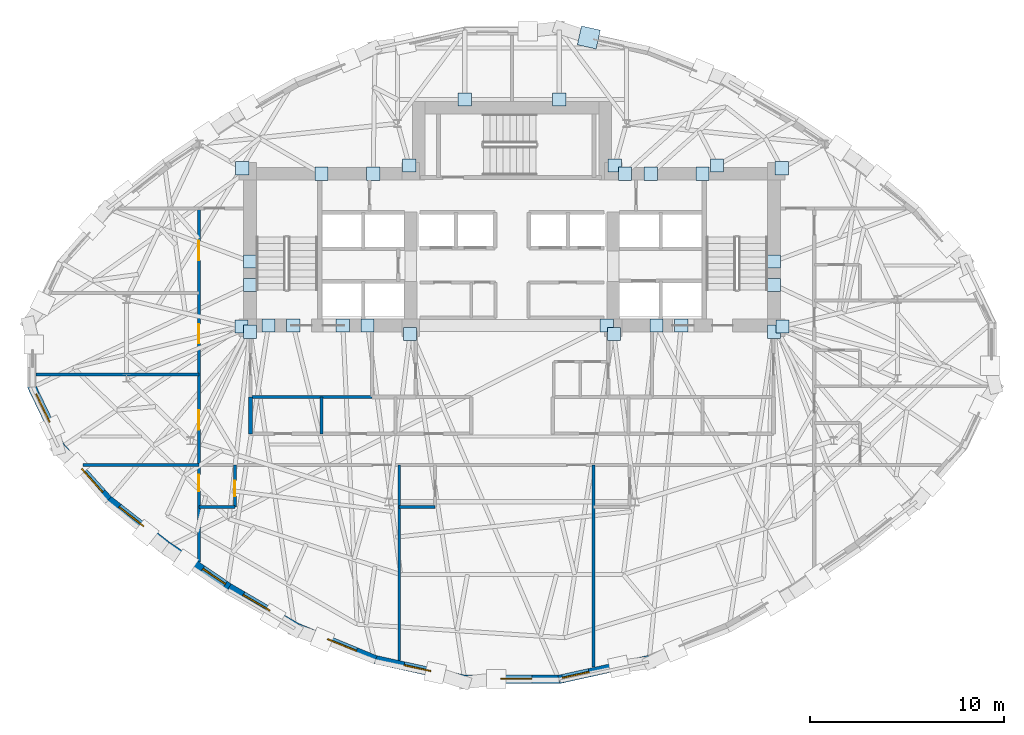
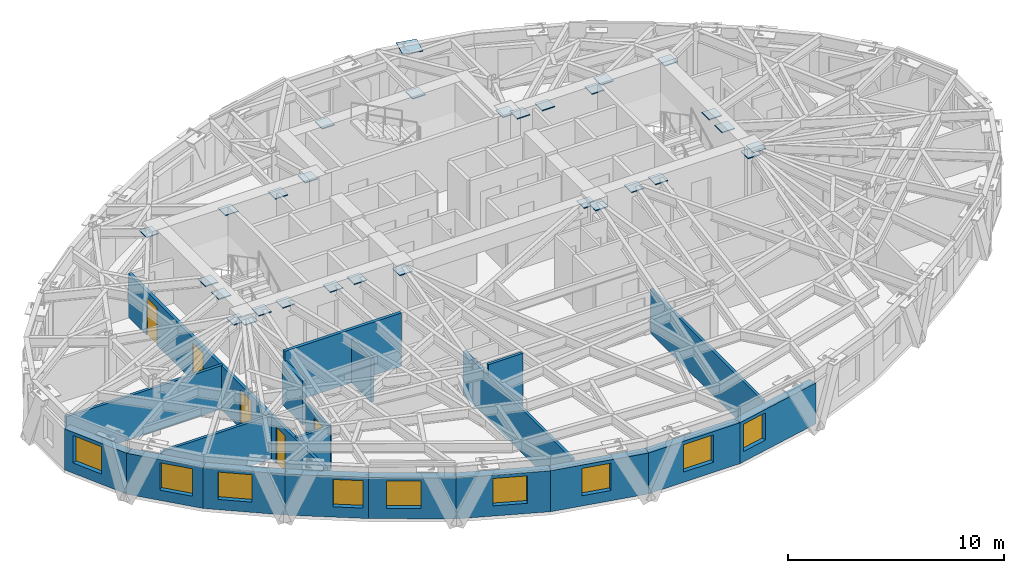
# One storey, part 5 of 14: 30 plates, 20 walls, 9 windows, 5 doors, 14 openings.
"""IFC4 building model written with IfcOpenShell, lengths in metres."""

import ifcopenshell
import ifcopenshell.guid

model = None  # the IFC model being written
_history = None  # IfcOwnerHistory: only IFC2X3 demands one
_inside = {}  # id of a spatial element -> (the spatial element, [elements in it])
_under = {}  # id of a project, library or spatial element -> (it, [spatial elements below it])
_declared = {}  # id of a project -> (the project, [libraries it declares])
_typed = {}  # id of a type object -> (the type object, [elements of that type])
_made_of = {}  # id of a material, layer set ... -> (it, [elements and type objects made of it])


def new_model(schema):
    """Start an empty IFC model of exactly this schema.

    Asked for "IFC4X3", IfcOpenShell would pick the latest addendum, in which some entities
    have other attributes; the version numbers below select the first issue.
    IFC2X3 requires an IfcOwnerHistory on every rooted entity: one is made here for all.
    """
    global model, _history
    if schema == "IFC4X3":
        model = ifcopenshell.file(schema_version=(4, 3, 0, 0))
    else:
        model = ifcopenshell.file(schema=schema)
    _inside.clear()
    _under.clear()
    _declared.clear()
    _typed.clear()
    _made_of.clear()
    _history = None
    if model.schema == "IFC2X3":
        org = make("IfcOrganization", Name="unknown")
        user = make(
            "IfcPersonAndOrganization",
            ThePerson=make("IfcPerson", FamilyName="unknown"),
            TheOrganization=org,
        )
        app = make(
            "IfcApplication",
            ApplicationDeveloper=org,
            Version="unknown",
            ApplicationFullName="unknown",
            ApplicationIdentifier="unknown",
        )
        _history = make(
            "IfcOwnerHistory",
            OwningUser=user,
            OwningApplication=app,
            ChangeAction="ADDED",
            CreationDate=0,
        )
    return model


def make(cls, **values):
    """One entity of the class cls with the attributes given. An attribute that is None is left unset."""
    return model.create_entity(
        cls, **{name: value for name, value in values.items() if value is not None}
    )


def rooted(cls, **values):
    """An entity with a GlobalId (a new one), such as an element, a storey or a relation."""
    return make(cls, GlobalId=ifcopenshell.guid.new(), OwnerHistory=_history, **values)


def si_unit(unit_type, name, prefix=None):
    """IfcSIUnit, for example si_unit("LENGTHUNIT", "METRE", prefix="MILLI")."""
    return make("IfcSIUnit", UnitType=unit_type, Prefix=prefix, Name=name)


def assignment(units):
    """IfcUnitAssignment: the units of a project."""
    return None if units is None else make("IfcUnitAssignment", Units=units)


def point(xyz):
    """IfcCartesianPoint."""
    return None if xyz is None else make("IfcCartesianPoint", Coordinates=xyz)


def direction(xyz):
    """IfcDirection."""
    return None if xyz is None else make("IfcDirection", DirectionRatios=xyz)


def frame(location, z_axis=None, x_axis=None):
    """IfcAxis2Placement3D, a coordinate frame: its origin and axes. An axis left out is left unset."""
    return make(
        "IfcAxis2Placement3D",
        Location=point(location),
        Axis=direction(z_axis),
        RefDirection=direction(x_axis),
    )


def frame_2d(location, x_axis=None):
    """IfcAxis2Placement2D, a coordinate frame in the plane: its origin and x axis."""
    return make(
        "IfcAxis2Placement2D", Location=point(location), RefDirection=direction(x_axis)
    )


def origin():
    """The frame at (0, 0, 0) with its axes left unset."""
    return frame((0.0, 0.0, 0.0))


def origin_2d():
    """The frame at (0, 0) in the plane with its x axis left unset."""
    return frame_2d((0.0, 0.0))


def place(relative_to, where):
    """IfcLocalPlacement: puts the frame where relative to a parent placement (None: the world)."""
    return make(
        "IfcLocalPlacement", PlacementRelTo=relative_to, RelativePlacement=where
    )


def context(
    kind, dimensions, precision=None, world=None, true_north=None, identifier=None
):
    """IfcGeometricRepresentationContext, for example the 3D "Model" context."""
    return make(
        "IfcGeometricRepresentationContext",
        ContextIdentifier=identifier,
        ContextType=kind,
        CoordinateSpaceDimension=dimensions,
        Precision=precision,
        WorldCoordinateSystem=world,
        TrueNorth=true_north,
    )


def subcontext(parent, identifier, kind, view, scale=None):
    """IfcGeometricRepresentationSubContext, for example "Body" below "Model"."""
    return make(
        "IfcGeometricRepresentationSubContext",
        ContextIdentifier=identifier,
        ContextType=kind,
        ParentContext=parent,
        TargetScale=scale,
        TargetView=view,
    )


def project(units=None, contexts=None):
    """IfcProject with its units and contexts."""
    return rooted(
        "IfcProject",
        Name="project",
        RepresentationContexts=contexts,
        UnitsInContext=assignment(units),
    )


def spatial(cls, under=None, at=None, **own):
    """A site, building, storey or space (cls), placed at a placement, below another one or the project."""
    s = rooted(cls, ObjectPlacement=at, **own)
    if under is not None:
        _under.setdefault(under.id(), (under, []))[1].append(s)
    return s


def profile(cls, at=None, kind="AREA", **sizes):
    """A parametric profile (cls). Its sizes go by their IFC names, for example OverallWidth=200.0."""
    return make(cls, ProfileType=kind, Position=at, **sizes)


def rectangle(**sizes):
    """IfcRectangleProfileDef."""
    return profile("IfcRectangleProfileDef", **sizes)


def extrude(swept, where, along, depth):
    """IfcExtrudedAreaSolid: the profile swept, set in the frame where, extruded along a direction by depth."""
    return make(
        "IfcExtrudedAreaSolid",
        SweptArea=swept,
        Position=where,
        ExtrudedDirection=direction(along),
        Depth=depth,
    )


def shape(context_of_items, identifier, shape_type, items):
    """IfcShapeRepresentation: the items that make up one representation, for example the "Body"."""
    return make(
        "IfcShapeRepresentation",
        ContextOfItems=context_of_items,
        RepresentationIdentifier=identifier,
        RepresentationType=shape_type,
        Items=items,
    )


def material(Name=None, Category=None):
    """IfcMaterial."""
    return make("IfcMaterial", Name=Name, Category=Category)


def layer(
    of_material, thickness, ventilated=None, Name=None, Category=None, Priority=None
):
    """IfcMaterialLayer: one layer of a wall or slab, of a material (None: an air gap)."""
    return make(
        "IfcMaterialLayer",
        Material=of_material,
        LayerThickness=thickness,
        IsVentilated=ventilated,
        Name=Name,
        Category=Category,
        Priority=Priority,
    )


def layer_set(layers, Name=None):
    """IfcMaterialLayerSet."""
    return make("IfcMaterialLayerSet", MaterialLayers=layers, LayerSetName=Name)


def made_of(thing, what):
    """Note that an element or type object is made of a material, layer set ...; save() writes the relation."""
    if what is not None:
        _made_of.setdefault(what.id(), (what, []))[1].append(thing)
    return thing


def type_object(cls, material=None, **own):
    """A type object (cls), such as IfcWallType, which elements share."""
    return made_of(rooted(cls, **own), material)


def element(
    cls,
    number,
    at=None,
    inside=None,
    cuts=None,
    type_object=None,
    material=None,
    context=None,
    identifier="Body",
    shape_type=None,
    held_by="IfcProductDefinitionShape",
    body=None,
    shapes=None,
    **own,
):
    """One element of the class cls, such as IfcWall. Its Tag is "e" and its number.

    at: its placement. inside: the storey or other place that contains it. cuts: it is an
    opening in that element (IfcRelVoidsElement). A single representation is given by context,
    identifier, shape_type and body (its items); several are given by shapes. held_by: the class
    of the entity that holds the representations. save() writes the other relations.
    """
    e = rooted(cls, Tag="e%d" % number, ObjectPlacement=at, **own)
    if body is not None:
        shapes = [shape(context, identifier, shape_type, body)]
    if shapes is not None:
        e.Representation = make(held_by, Representations=shapes)
    if inside is not None:
        _inside.setdefault(inside.id(), (inside, []))[1].append(e)
    if cuts is not None:
        rooted(
            "IfcRelVoidsElement", RelatingBuildingElement=cuts, RelatedOpeningElement=e
        )
    if type_object is not None:
        _typed.setdefault(type_object.id(), (type_object, []))[1].append(e)
    return made_of(e, material)


def fill(opening, filler):
    """IfcRelFillsElement: the door or window that sits in an opening."""
    return rooted(
        "IfcRelFillsElement",
        RelatingOpeningElement=opening,
        RelatedBuildingElement=filler,
    )


def aggregate(whole, parts):
    """IfcRelAggregates: a whole, such as a stair, and the parts it consists of."""
    return rooted("IfcRelAggregates", RelatingObject=whole, RelatedObjects=parts)


def save(model, path):
    """Write the relations noted so far, then the file.

    IfcRelAggregates (storeys below a building ...), IfcRelContainedInSpatialStructure (elements
    in a storey), IfcRelDefinesByType, IfcRelAssociatesMaterial and IfcRelDeclares: one each for
    every whole, place, type object, material and project.
    """
    for whole, parts in _under.values():
        aggregate(whole, parts)
    for where, things in _inside.values():
        rooted(
            "IfcRelContainedInSpatialStructure",
            RelatedElements=things,
            RelatingStructure=where,
        )
    for kind, things in _typed.values():
        rooted("IfcRelDefinesByType", RelatedObjects=things, RelatingType=kind)
    for what, things in _made_of.values():
        rooted("IfcRelAssociatesMaterial", RelatedObjects=things, RelatingMaterial=what)
    for by, libraries in _declared.values():
        rooted("IfcRelDeclares", RelatingContext=by, RelatedDefinitions=libraries)
    model.write(path)


model = new_model("IFC4")

# Units and contexts
model_context = context("Model", 3, precision=1e-05, world=origin(), true_north=direction((0.0, 1.0)))
body_context = subcontext(model_context, "Body", "Model", "MODEL_VIEW")
ifc_project = project(units=[si_unit("LENGTHUNIT", "METRE"), si_unit("AREAUNIT", "SQUARE_METRE"), si_unit("VOLUMEUNIT", "CUBIC_METRE"), si_unit("PLANEANGLEUNIT", "RADIAN"), si_unit("MASSUNIT", "GRAM", prefix="KILO")], contexts=[model_context])

# Site, building, storey
site_placement = place(None, origin())
site = spatial("IfcSite", under=ifc_project, at=site_placement, CompositionType="ELEMENT")
building_placement = place(site_placement, origin())
building = spatial("IfcBuilding", under=site, at=building_placement, Name="Keldmark Tower", CompositionType="ELEMENT")
storey_placement = place(building_placement, frame((0.0, 0.0, 185.39990234375)))
storey = spatial("IfcBuildingStorey", under=building, at=storey_placement, Name="L51", CompositionType="ELEMENT", Elevation=185.39990234375)

# Plates
ifc_material_1 = material(Name="Steel ASTM A572 Grade 50", Category="steel")
ifc_layer_1 = layer(ifc_material_1, 0.06005859375)
ifc_layer_set_1 = layer_set([ifc_layer_1], Name="Steel ASTM A572 Grade 50")
plate_type_1 = type_object("IfcPlateType", Name="Belt Truss Kink Node Assembly KN01 60 mm", PredefinedType="USERDEFINED", material=ifc_layer_set_1)
for number, where, z_axis, x_axis, name in (
    (1, (13.91162109375, 1.473388671875, 2.72412109375), (0.0, 0.0, 1.0), (1.0, 0.0, 0.0), "L51 Core Wall Cast-In Embed Plate 1497"),
    (2, (13.878173828125, 9.608154296875, 2.72412109375), (0.0, 0.0, 1.0), (1.0, 0.0, 0.0), "L51 Core Wall Cast-In Embed Plate 1498"),
    (3, (5.28515625, 9.758544921875, 2.72412109375), (0.0, 0.0, 1.0), (1.0, 0.0, 0.0), "L51 Core Wall Cast-In Embed Plate 1499"),
    (4, (-5.28515625, 9.758544921875, 2.72412109375), (0.0, 0.0, 1.0), (1.0, 0.0, 0.0), "L51 Core Wall Cast-In Embed Plate 1500"),
    (5, (-13.878173828125, 9.608154296875, 2.72412109375), (0.0, 0.0, 1.0), (1.0, 0.0, 0.0), "L51 Core Wall Cast-In Embed Plate 1501"),
    (6, (-13.91162109375, 1.473388671875, 2.72412109375), (0.0, 0.0, 1.0), (1.0, 0.0, 0.0), "L51 Core Wall Cast-In Embed Plate 1502"),
    (7, (-5.24072265625, 1.08251953125, 2.72412109375), (0.0, 0.0, 1.0), (1.0, 0.0, 0.0), "L51 Core Wall Cast-In Embed Plate 1503"),
    (8, (5.24072265625, 1.08251953125, 2.72412109375), (0.0, 0.0, 1.0), (1.0, 0.0, 0.0), "L51 Core Wall Cast-In Embed Plate 1504"),
    (9, (-13.47509765625, 1.199951171875, 2.72412109375), (0.0, 0.0, 1.0), (1.0, 0.0, 0.0), "L51 Core Wall Cast-In Embed Plate 1505"),
    (10, (-7.425048828125, 1.52490234375, 2.72412109375), (0.0, 0.0, 1.0), (1.0, 0.0, 0.0), "L51 Core Wall Cast-In Embed Plate 1506"),
    (11, (7.425048828125, 1.52490234375, 2.72412109375), (0.0, 0.0, 1.0), (1.0, 0.0, 0.0), "L51 Core Wall Cast-In Embed Plate 1507"),
    (12, (13.47509765625, 1.199951171875, 2.72412109375), (0.0, 0.0, 1.0), (1.0, 0.0, 0.0), "L51 Core Wall Cast-In Embed Plate 1508"),
    (13, (-8.699951171875, 1.52490234375, 2.72412109375), (0.0, 0.0, 1.0), (1.0, 0.0, 0.0), "L51 Core Wall Cast-In Embed Plate 1509"),
    (14, (13.47509765625, 4.8212890625, 2.72412109375), (0.0, 0.0, 1.0), (1.0, 0.0, 0.0), "L51 Core Wall Cast-In Embed Plate 1510"),
    (15, (9.8037109375, 9.324951171875, 2.72412109375), (0.0, 0.0, 1.0), (1.0, 0.0, 0.0), "L51 Core Wall Cast-In Embed Plate 1511"),
    (16, (10.537353515625, 9.7470703125, 2.72412109375), (0.0, 0.0, 1.0), (1.0, 0.0, 0.0), "L51 Core Wall Cast-In Embed Plate 1512"),
    (17, (7.139404296875, 9.324951171875, 2.72412109375), (0.0, 0.0, 1.0), (1.0, 0.0, 0.0), "L51 Core Wall Cast-In Embed Plate 1513"),
    (18, (-9.8037109375, 9.324951171875, 2.72412109375), (0.0, 0.0, 1.0), (1.0, 0.0, 0.0), "L51 Core Wall Cast-In Embed Plate 1514"),
    (19, (-13.47509765625, 4.8212890625, 2.72412109375), (0.0, 0.0, 1.0), (1.0, 0.0, 0.0), "L51 Core Wall Cast-In Embed Plate 1515"),
    (20, (-13.47509765625, 3.6142578125, 2.72412109375), (0.0, 0.0, 1.0), (1.0, 0.0, 0.0), "L51 Core Wall Cast-In Embed Plate 1516"),
    (21, (4.875, 1.52490234375, 2.72412109375), (0.0, 0.0, 1.0), (1.0, 0.0, 0.0), "L51 Core Wall Cast-In Embed Plate 1517"),
    (22, (-12.52490234375, 1.52490234375, 2.72412109375), (0.0, 0.0, 1.0), (1.0, 0.0, 0.0), "L51 Core Wall Cast-In Embed Plate 1518"),
    (23, (-11.25, 1.52490234375, 2.72412109375), (0.0, 0.0, 1.0), (1.0, 0.0, 0.0), "L51 Core Wall Cast-In Embed Plate 1519"),
    (24, (8.699951171875, 1.52490234375, 2.72412109375), (0.0, 0.0, 1.0), (1.0, 0.0, 0.0), "L51 Core Wall Cast-In Embed Plate 1520"),
    (25, (13.47509765625, 3.6142578125, 2.72412109375), (0.0, 0.0, 1.0), (1.0, 0.0, 0.0), "L51 Core Wall Cast-In Embed Plate 1521"),
    (26, (2.4287109375, 13.14990234375, 2.72412109375), (0.0, 0.0, 1.0), (1.0, 0.0, 0.0), "L51 Core Wall Cast-In Embed Plate 1522"),
    (27, (-2.4287109375, 13.14990234375, 2.72412109375), (0.0, 0.0, 1.0), (1.0, 0.0, 0.0), "L51 Core Wall Cast-In Embed Plate 1523"),
    (28, (5.80712890625, 9.324951171875, 2.72412109375), (0.0, 0.0, 1.0), (1.0, 0.0, 0.0), "L51 Core Wall Cast-In Embed Plate 1524"),
    (29, (-7.139404296875, 9.324951171875, 2.72412109375), (0.0, 0.0, 1.0), (1.0, 0.0, 0.0), "L51 Core Wall Cast-In Embed Plate 1525"),
):
    element("IfcPlate", number, at=place(storey_placement, frame(where, z_axis=z_axis, x_axis=x_axis)), inside=storey, type_object=plate_type_1, Name=name, ObjectType="CAP PLATE", PredefinedType="USERDEFINED", context=body_context, shape_type="SweptSolid", body=[
        extrude(rectangle(XDim=0.679931640625, YDim=0.679931640625, at=origin_2d()), origin(), (0.0, 0.0, 1.0), 0.054931640625),
    ])
ifc_material_2 = material(Name="Steel ASTM A572 Grade 50", Category="steel")
ifc_layer_2 = layer(ifc_material_2, 0.044921875)
ifc_layer_set_2 = layer_set([ifc_layer_2], Name="Steel ASTM A572 Grade 50")
plate_type_2 = type_object("IfcPlateType", Name="Diagrid Node Assembly DN04 45 mm", PredefinedType="USERDEFINED", material=ifc_layer_set_2)
plate_placement = place(storey_placement, frame((3.951416015625, 16.338623046875, 2.877685546875), z_axis=(0.0, 0.0, 1.0), x_axis=(-0.976522126798, 0.215417120661, 0.0)))
element("IfcPlate", 30, at=plate_placement, inside=storey, type_object=plate_type_2, Name="L51 Diagrid Node Assembly 07", ObjectType="GUSSET", PredefinedType="USERDEFINED", context=body_context, shape_type="SweptSolid", body=[
    extrude(rectangle(XDim=0.989990234375, YDim=0.989990234375, at=origin_2d()), origin(), (0.0, 0.0, 1.0), 0.044921875),
])

# Walls
ifc_material_3 = material(Name="Heavy Acoustic Plumbing Chase Gypsum Assembly", Category="gypsum")
ifc_layer_3 = layer(ifc_material_3, 0.18994140625)
ifc_layer_set_3 = layer_set([ifc_layer_3], Name="Heavy Acoustic Plumbing Chase Gypsum Assembly")
wall_type_1 = type_object("IfcWallType", Name="Heavy Wet Wall 190 mm", PredefinedType="PLUMBINGWALL", material=ifc_layer_set_3)
wall_1_placement = place(storey_placement, frame((-13.449951171875, -4.050048828125, 0.0), z_axis=(0.0, 0.0, 1.0), x_axis=(0.0, 1.0, 0.0)))
element("IfcWall", 31, at=wall_1_placement, inside=storey, type_object=wall_type_1, Name="L51 Heavy Wet Wall 190 mm SPK-W-W", PredefinedType="PLUMBINGWALL", context=body_context, shape_type="SweptSolid", body=[
    extrude(rectangle(XDim=1.900146484375, YDim=0.18994140625, at=frame_2d((0.9501953125, 0.0))), origin(), (0.0, 0.0, 1.0), 2.47314453125),
])
ifc_material_4 = material(Name="Type X Fire-Rated Gypsum Partition Assembly", Category="gypsum")
ifc_layer_4 = layer(ifc_material_4, 0.1650390625)
ifc_layer_set_4 = layer_set([ifc_layer_4], Name="Type X Fire-Rated Gypsum Partition Assembly")
wall_type_2 = type_object("IfcWallType", Name="Rated Partition 165 mm", PredefinedType="PARTITIONING", material=ifc_layer_set_4)
wall_2_placement = place(storey_placement, frame((-13.449951171875, -2.14990234375, 0.0), z_axis=(0.0, 0.0, 1.0), x_axis=(1.0, 0.0, 0.0)))
element("IfcWall", 32, at=wall_2_placement, inside=storey, type_object=wall_type_2, Name="L51 Rated Partition 165 mm FSAE-W-S", PredefinedType="PARTITIONING", context=body_context, shape_type="SweptSolid", body=[
    extrude(rectangle(XDim=6.25, YDim=0.1650390625, at=frame_2d((3.125, 0.0))), origin(), (0.0, 0.0, 1.0), 3.02001953125),
])

# Wall, openings, doors
wall_3_placement = place(storey_placement, frame((-16.10009765625, -10.626953125, 0.0), z_axis=(0.0, 0.0, 1.0), x_axis=(0.0, 1.0, 0.0)))
wall_3 = element("IfcWall", 33, at=wall_3_placement, inside=storey, type_object=wall_type_2, Name="L51 Rated Partition 165 mm HCOR-W", PredefinedType="PARTITIONING", context=body_context, shape_type="SweptSolid", body=[
    extrude(rectangle(XDim=18.177001953125, YDim=0.1650390625, at=frame_2d((9.08837890625, 0.0))), origin(), (0.0, 0.0, 1.0), 2.47314453125),
])
opening_1_placement = place(wall_3_placement, frame((3.626708984375, 0.0, 0.0)))
opening_1 = element("IfcOpeningElement", 34, at=opening_1_placement, cuts=wall_3, Name="Opening D-IN085", PredefinedType="OPENING", context=body_context, shape_type="SweptSolid", body=[
    extrude(rectangle(XDim=0.85009765625, YDim=2.10009765625, at=frame_2d((0.425048828125, 1.050048828125))), frame((0.0, 0.092529296875, 0.0), z_axis=(0.0, -1.0, 0.0), x_axis=(1.0, 0.0, 0.0)), (0.0, 0.0, 1.0), 0.18505859375),
])
opening_2_placement = place(wall_3_placement, frame((6.801513671875, 0.0, 0.0)))
opening_2 = element("IfcOpeningElement", 35, at=opening_2_placement, cuts=wall_3, Name="Opening D-FD100", PredefinedType="OPENING", context=body_context, shape_type="SweptSolid", body=[
    extrude(rectangle(XDim=1.0, YDim=2.14990234375, at=frame_2d((0.5, 1.074951171875))), frame((0.0, 0.092529296875, 0.0), z_axis=(0.0, -1.0, 0.0), x_axis=(1.0, 0.0, 0.0)), (0.0, 0.0, 1.0), 0.18505859375),
])
opening_3_placement = place(wall_3_placement, frame((11.2265625, 0.0, 0.0)))
opening_3 = element("IfcOpeningElement", 36, at=opening_3_placement, cuts=wall_3, Name="Opening D-FD100", PredefinedType="OPENING", context=body_context, shape_type="SweptSolid", body=[
    extrude(rectangle(XDim=1.0, YDim=2.14990234375, at=frame_2d((0.5, 1.074951171875))), frame((0.0, 0.092529296875, 0.0), z_axis=(0.0, -1.0, 0.0), x_axis=(1.0, 0.0, 0.0)), (0.0, 0.0, 1.0), 0.18505859375),
])
opening_4_placement = place(wall_3_placement, frame((15.501708984375, 0.0, 0.0)))
opening_4 = element("IfcOpeningElement", 37, at=opening_4_placement, cuts=wall_3, Name="Opening D-FD100", PredefinedType="OPENING", context=body_context, shape_type="SweptSolid", body=[
    extrude(rectangle(XDim=1.0, YDim=2.14990234375, at=frame_2d((0.5, 1.074951171875))), frame((0.0, 0.092529296875, 0.0), z_axis=(0.0, -1.0, 0.0), x_axis=(1.0, 0.0, 0.0)), (0.0, 0.0, 1.0), 0.18505859375),
])
ifc_material_5 = material(Name="Hollow Metal Fire-Rated Corridor Door", Category="metal")
door_type_1 = type_object("IfcDoorType", Name="Fire Door 1000x2150", OperationType="NOTDEFINED", PredefinedType="DOOR", material=ifc_material_5)
door_1_placement = place(opening_2_placement, origin())
door_1 = element("IfcDoor", 38, at=door_1_placement, inside=storey, type_object=door_type_1, Name="L51 Fire Door 1000x2150 D-HWSP-1-L51", OperationType="SINGLE_SWING_RIGHT", OverallHeight=2.14990234375, OverallWidth=1.0, PredefinedType="DOOR", context=body_context, shape_type="SweptSolid", body=[
    extrude(rectangle(XDim=1.0, YDim=2.14990234375, at=frame_2d((0.5, 1.074951171875))), frame((0.0, 0.02490234375, 0.0), z_axis=(0.0, -1.0, 0.0), x_axis=(1.0, 0.0, 0.0)), (0.0, 0.0, 1.0), 0.050048828125),
])
fill(opening_2, door_1)
door_2_placement = place(opening_3_placement, origin())
door_2 = element("IfcDoor", 39, at=door_2_placement, inside=storey, type_object=door_type_1, Name="L51 Fire Door 1000x2150 D-HWSP-2-L51", OperationType="SINGLE_SWING_LEFT", OverallHeight=2.14990234375, OverallWidth=1.0, PredefinedType="DOOR", context=body_context, shape_type="SweptSolid", body=[
    extrude(rectangle(XDim=1.0, YDim=2.14990234375, at=frame_2d((0.5, 1.074951171875))), frame((0.0, 0.02490234375, 0.0), z_axis=(0.0, -1.0, 0.0), x_axis=(1.0, 0.0, 0.0)), (0.0, 0.0, 1.0), 0.050048828125),
])
fill(opening_3, door_2)
door_3_placement = place(opening_4_placement, origin())
door_3 = element("IfcDoor", 40, at=door_3_placement, inside=storey, type_object=door_type_1, Name="L51 Fire Door 1000x2150 D-HWSP-3-L51", OperationType="SINGLE_SWING_LEFT", OverallHeight=2.14990234375, OverallWidth=1.0, PredefinedType="DOOR", context=body_context, shape_type="SweptSolid", body=[
    extrude(rectangle(XDim=1.0, YDim=2.14990234375, at=frame_2d((0.5, 1.074951171875))), frame((0.0, 0.02490234375, 0.0), z_axis=(0.0, -1.0, 0.0), x_axis=(1.0, 0.0, 0.0)), (0.0, 0.0, 1.0), 0.050048828125),
])
fill(opening_4, door_3)
ifc_material_6 = material(Name="Painted Architectural Wood", Category="wood")
door_type_2 = type_object("IfcDoorType", Name="Interior Door 850x2100", OperationType="NOTDEFINED", PredefinedType="DOOR", material=ifc_material_6)
door_4_placement = place(opening_1_placement, origin())
door_4 = element("IfcDoor", 41, at=door_4_placement, inside=storey, type_object=door_type_2, Name="L51 Interior Door 850x2100 D-HKSW-L51", OperationType="SINGLE_SWING_LEFT", OverallHeight=2.10009765625, OverallWidth=0.85009765625, PredefinedType="DOOR", context=body_context, shape_type="SweptSolid", body=[
    extrude(rectangle(XDim=0.85009765625, YDim=2.10009765625, at=frame_2d((0.425048828125, 1.050048828125))), frame((0.0, 0.02490234375, 0.0), z_axis=(0.0, -1.0, 0.0), x_axis=(1.0, 0.0, 0.0)), (0.0, 0.0, 1.0), 0.050048828125),
])
fill(opening_1, door_4)

# Wall, opening, window
ifc_material_7 = material(Name="Ironspot Manganese Brick and Kasota Buff Limestone Spandrel Assembly", Category="masonry")
ifc_layer_5 = layer(ifc_material_7, 0.43994140625)
ifc_layer_set_5 = layer_set([ifc_layer_5], Name="Ironspot Manganese Brick and Kasota Buff Limestone Spandrel Assembly")
wall_type_3 = type_object("IfcWallType", Name="Tower Brick Pier and Spandrel Wall 440 mm", PredefinedType="STANDARD", material=ifc_layer_set_5)
wall_4_placement = place(storey_placement, frame((-23.21240234375, -4.718994140625, 0.0), z_axis=(0.0, 0.0, 1.0), x_axis=(-0.43276286683, 0.90150779314, 0.0)))
wall_4 = element("IfcWall", 42, at=wall_4_placement, inside=storey, type_object=wall_type_3, Name="L51 Exterior Brick and Spandrel Wall 17", PredefinedType="STANDARD", context=body_context, shape_type="SweptSolid", body=[
    extrude(rectangle(XDim=3.494384765625, YDim=0.43994140625, at=frame_2d((1.7470703125, 0.0))), origin(), (0.0, 0.0, 1.0), 2.315185546875),
])
opening_5_placement = place(wall_4_placement, frame((1.3955078125, 0.0, 0.580078125)))
opening_5 = element("IfcOpeningElement", 43, at=opening_5_placement, cuts=wall_4, Name="Opening W-04", PredefinedType="OPENING", context=body_context, shape_type="SweptSolid", body=[
    extrude(rectangle(XDim=1.60009765625, YDim=1.550048828125, at=frame_2d((0.800048828125, 0.77490234375))), frame((0.0, 0.22998046875, 0.0), z_axis=(0.0, -1.0, 0.0), x_axis=(1.0, 0.0, 0.0)), (0.0, 0.0, 1.0), 0.4599609375),
])
ifc_material_8 = material(Name="Thermally Broken Anodized Aluminum and Triple Low-E Argon Glazing", Category="aluminium")
window_type_1 = type_object("IfcWindowType", Name="Hotel Deep-Set Operable Window 1600x1550", PartitioningType="DOUBLE_PANEL_HORIZONTAL", PredefinedType="WINDOW", material=ifc_material_8)
window_1_placement = place(opening_5_placement, origin())
window_1 = element("IfcWindow", 44, at=window_1_placement, inside=storey, type_object=window_type_1, Name="L51 Deep-Set Window 17", OverallHeight=1.550048828125, OverallWidth=1.60009765625, PartitioningType="SINGLE_PANEL", PredefinedType="WINDOW", context=body_context, shape_type="SweptSolid", body=[
    extrude(rectangle(XDim=1.60009765625, YDim=1.550048828125, at=frame_2d((0.800048828125, 0.77490234375))), frame((0.0, -0.010009765625, 0.0), z_axis=(0.0, -1.0, 0.0), x_axis=(1.0, 0.0, 0.0)), (0.0, 0.0, 1.0), 0.06005859375),
])
fill(opening_5, window_1)

wall_5_placement = place(storey_placement, frame((-20.75927734375, -7.4345703125, 0.0), z_axis=(0.0, 0.0, 1.0), x_axis=(-0.668547778607, 0.743669192396, 0.0)))
wall_5 = element("IfcWall", 45, at=wall_5_placement, inside=storey, type_object=wall_type_3, Name="L51 Exterior Brick and Spandrel Wall 18", PredefinedType="STANDARD", context=body_context, shape_type="SweptSolid", body=[
    extrude(rectangle(XDim=3.72119140625, YDim=0.43994140625, at=frame_2d((1.860595703125, 0.0))), origin(), (0.0, 0.0, 1.0), 2.315185546875),
])
opening_6_placement = place(wall_5_placement, frame((0.4951171875, 0.0, 0.580078125)))
opening_6 = element("IfcOpeningElement", 46, at=opening_6_placement, cuts=wall_5, Name="Opening W-04", PredefinedType="OPENING", context=body_context, shape_type="SweptSolid", body=[
    extrude(rectangle(XDim=1.60009765625, YDim=1.550048828125, at=frame_2d((0.800048828125, 0.77490234375))), frame((0.0, 0.22998046875, 0.0), z_axis=(0.0, -1.0, 0.0), x_axis=(1.0, 0.0, 0.0)), (0.0, 0.0, 1.0), 0.4599609375),
])
window_2_placement = place(opening_6_placement, origin())
window_2 = element("IfcWindow", 47, at=window_2_placement, inside=storey, type_object=window_type_1, Name="L51 Deep-Set Window 18", OverallHeight=1.550048828125, OverallWidth=1.60009765625, PartitioningType="SINGLE_PANEL", PredefinedType="WINDOW", context=body_context, shape_type="SweptSolid", body=[
    extrude(rectangle(XDim=1.60009765625, YDim=1.550048828125, at=frame_2d((0.800048828125, 0.77490234375))), frame((0.0, -0.010009765625, 0.0), z_axis=(0.0, -1.0, 0.0), x_axis=(1.0, 0.0, 0.0)), (0.0, 0.0, 1.0), 0.06005859375),
])
fill(opening_6, window_2)

wall_6_placement = place(storey_placement, frame((-17.755615234375, -9.78076171875, 0.0), z_axis=(0.0, 0.0, 1.0), x_axis=(-0.787518383176, 0.616291161838, 0.0)))
wall_6 = element("IfcWall", 48, at=wall_6_placement, inside=storey, type_object=wall_type_3, Name="L51 Exterior Brick and Spandrel Wall 19", PredefinedType="STANDARD", context=body_context, shape_type="SweptSolid", body=[
    extrude(rectangle(XDim=3.849853515625, YDim=0.43994140625, at=frame_2d((1.9248046875, 0.0))), origin(), (0.0, 0.0, 1.0), 2.315185546875),
])
opening_7_placement = place(wall_6_placement, frame((1.5498046875, 0.0, 0.580078125)))
opening_7 = element("IfcOpeningElement", 49, at=opening_7_placement, cuts=wall_6, Name="Opening W-04", PredefinedType="OPENING", context=body_context, shape_type="SweptSolid", body=[
    extrude(rectangle(XDim=1.60009765625, YDim=1.550048828125, at=frame_2d((0.800048828125, 0.77490234375))), frame((0.0, 0.22998046875, 0.0), z_axis=(0.0, -1.0, 0.0), x_axis=(1.0, 0.0, 0.0)), (0.0, 0.0, 1.0), 0.4599609375),
])
window_3_placement = place(opening_7_placement, origin())
window_3 = element("IfcWindow", 50, at=window_3_placement, inside=storey, type_object=window_type_1, Name="L51 Deep-Set Window 19", OverallHeight=1.550048828125, OverallWidth=1.60009765625, PartitioningType="SINGLE_PANEL", PredefinedType="WINDOW", context=body_context, shape_type="SweptSolid", body=[
    extrude(rectangle(XDim=1.60009765625, YDim=1.550048828125, at=frame_2d((0.800048828125, 0.77490234375))), frame((0.0, -0.010009765625, 0.0), z_axis=(0.0, -1.0, 0.0), x_axis=(1.0, 0.0, 0.0)), (0.0, 0.0, 1.0), 0.06005859375),
])
fill(opening_7, window_3)

wall_7_placement = place(storey_placement, frame((-14.5595703125, -11.94677734375, 0.0), z_axis=(0.0, 0.0, 1.0), x_axis=(-0.82774221662, 0.561108565988, 0.0)))
wall_7 = element("IfcWall", 51, at=wall_7_placement, inside=storey, type_object=wall_type_3, Name="L51 Exterior Brick and Spandrel Wall 20", PredefinedType="STANDARD", context=body_context, shape_type="SweptSolid", body=[
    extrude(rectangle(XDim=3.8759765625, YDim=0.43994140625, at=frame_2d((1.93798828125, 0.0))), origin(), (0.0, 0.0, 1.0), 2.315185546875),
])
opening_8_placement = place(wall_7_placement, frame((0.24951171875, 0.0, 0.580078125)))
opening_8 = element("IfcOpeningElement", 52, at=opening_8_placement, cuts=wall_7, Name="Opening W-08", PredefinedType="OPENING", context=body_context, shape_type="SweptSolid", body=[
    extrude(rectangle(XDim=1.39990234375, YDim=1.550048828125, at=frame_2d((0.699951171875, 0.77490234375))), frame((0.0, 0.22998046875, 0.0), z_axis=(0.0, -1.0, 0.0), x_axis=(1.0, 0.0, 0.0)), (0.0, 0.0, 1.0), 0.4599609375),
])
ifc_material_9 = material(Name="Thermally Broken Anodized Aluminum and Triple Low-E Argon Glazing", Category="aluminium")
window_type_2 = type_object("IfcWindowType", Name="Residential Corner Punched Window 1400x1550", PartitioningType="SINGLE_PANEL", PredefinedType="WINDOW", material=ifc_material_9)
window_4_placement = place(opening_8_placement, origin())
window_4 = element("IfcWindow", 53, at=window_4_placement, inside=storey, type_object=window_type_2, Name="L51 Deep-Set Window 20", OverallHeight=1.550048828125, OverallWidth=1.39990234375, PartitioningType="SINGLE_PANEL", PredefinedType="WINDOW", context=body_context, shape_type="SweptSolid", body=[
    extrude(rectangle(XDim=1.39990234375, YDim=1.550048828125, at=frame_2d((0.699951171875, 0.77490234375))), frame((0.0, -0.010009765625, 0.0), z_axis=(0.0, -1.0, 0.0), x_axis=(1.0, 0.0, 0.0)), (0.0, 0.0, 1.0), 0.06005859375),
])
fill(opening_8, window_4)

wall_8_placement = place(storey_placement, frame((-11.072021484375, -13.99462890625, 0.0), z_axis=(0.0, 0.0, 1.0), x_axis=(-0.862269598443, 0.506449542995, 0.0)))
wall_8 = element("IfcWall", 54, at=wall_8_placement, inside=storey, type_object=wall_type_3, Name="L51 Exterior Brick and Spandrel Wall 21", PredefinedType="STANDARD", context=body_context, shape_type="SweptSolid", body=[
    extrude(rectangle(XDim=4.05859375, YDim=0.43994140625, at=frame_2d((2.029296875, 0.0))), origin(), (0.0, 0.0, 1.0), 2.315185546875),
])
opening_9_placement = place(wall_8_placement, frame((1.621337890625, 0.0, 0.580078125)))
opening_9 = element("IfcOpeningElement", 55, at=opening_9_placement, cuts=wall_8, Name="Opening W-04", PredefinedType="OPENING", context=body_context, shape_type="SweptSolid", body=[
    extrude(rectangle(XDim=1.60009765625, YDim=1.550048828125, at=frame_2d((0.800048828125, 0.77490234375))), frame((0.0, 0.22998046875, 0.0), z_axis=(0.0, -1.0, 0.0), x_axis=(1.0, 0.0, 0.0)), (0.0, 0.0, 1.0), 0.4599609375),
])
window_5_placement = place(opening_9_placement, origin())
window_5 = element("IfcWindow", 56, at=window_5_placement, inside=storey, type_object=window_type_1, Name="L51 Deep-Set Window 21", OverallHeight=1.550048828125, OverallWidth=1.60009765625, PartitioningType="SINGLE_PANEL", PredefinedType="WINDOW", context=body_context, shape_type="SweptSolid", body=[
    extrude(rectangle(XDim=1.60009765625, YDim=1.550048828125, at=frame_2d((0.800048828125, 0.77490234375))), frame((0.0, -0.010009765625, 0.0), z_axis=(0.0, -1.0, 0.0), x_axis=(1.0, 0.0, 0.0)), (0.0, 0.0, 1.0), 0.06005859375),
])
fill(opening_9, window_5)

wall_9_placement = place(storey_placement, frame((-7.017578125, -15.66748046875, 0.0), z_axis=(0.0, 0.0, 1.0), x_axis=(-0.924224109839, 0.381850487486, 0.0)))
wall_9 = element("IfcWall", 57, at=wall_9_placement, inside=storey, type_object=wall_type_3, Name="L51 Exterior Brick and Spandrel Wall 22", PredefinedType="STANDARD", context=body_context, shape_type="SweptSolid", body=[
    extrude(rectangle(XDim=4.416748046875, YDim=0.43994140625, at=frame_2d((2.20849609375, 0.0))), origin(), (0.0, 0.0, 1.0), 2.315185546875),
])
opening_10_placement = place(wall_9_placement, frame((1.087646484375, 0.0, 0.580078125)))
opening_10 = element("IfcOpeningElement", 58, at=opening_10_placement, cuts=wall_9, Name="Opening W-04", PredefinedType="OPENING", context=body_context, shape_type="SweptSolid", body=[
    extrude(rectangle(XDim=1.60009765625, YDim=1.550048828125, at=frame_2d((0.800048828125, 0.77490234375))), frame((0.0, 0.22998046875, 0.0), z_axis=(0.0, -1.0, 0.0), x_axis=(1.0, 0.0, 0.0)), (0.0, 0.0, 1.0), 0.4599609375),
])
window_6_placement = place(opening_10_placement, origin())
window_6 = element("IfcWindow", 59, at=window_6_placement, inside=storey, type_object=window_type_1, Name="L51 Deep-Set Window 22", OverallHeight=1.550048828125, OverallWidth=1.60009765625, PartitioningType="SINGLE_PANEL", PredefinedType="WINDOW", context=body_context, shape_type="SweptSolid", body=[
    extrude(rectangle(XDim=1.60009765625, YDim=1.550048828125, at=frame_2d((0.800048828125, 0.77490234375))), frame((0.0, -0.010009765625, 0.0), z_axis=(0.0, -1.0, 0.0), x_axis=(1.0, 0.0, 0.0)), (0.0, 0.0, 1.0), 0.06005859375),
])
fill(opening_10, window_6)

wall_10_placement = place(storey_placement, frame((-2.4072265625, -16.68115234375, 0.0), z_axis=(0.0, 0.0, 1.0), x_axis=(-0.976520281828, 0.215425484049, 0.0)))
wall_10 = element("IfcWall", 60, at=wall_10_placement, inside=storey, type_object=wall_type_3, Name="L51 Exterior Brick and Spandrel Wall 23", PredefinedType="STANDARD", context=body_context, shape_type="SweptSolid", body=[
    extrude(rectangle(XDim=4.7587890625, YDim=0.43994140625, at=frame_2d((2.37939453125, 0.0))), origin(), (0.0, 0.0, 1.0), 2.315185546875),
])
opening_11_placement = place(wall_10_placement, frame((1.8271484375, 0.0, 0.580078125)))
opening_11 = element("IfcOpeningElement", 61, at=opening_11_placement, cuts=wall_10, Name="Opening W-08", PredefinedType="OPENING", context=body_context, shape_type="SweptSolid", body=[
    extrude(rectangle(XDim=1.39990234375, YDim=1.550048828125, at=frame_2d((0.699951171875, 0.77490234375))), frame((0.0, 0.22998046875, 0.0), z_axis=(0.0, -1.0, 0.0), x_axis=(1.0, 0.0, 0.0)), (0.0, 0.0, 1.0), 0.4599609375),
])
window_7_placement = place(opening_11_placement, origin())
window_7 = element("IfcWindow", 62, at=window_7_placement, inside=storey, type_object=window_type_2, Name="L51 Deep-Set Window 23", OverallHeight=1.550048828125, OverallWidth=1.39990234375, PartitioningType="SINGLE_PANEL", PredefinedType="WINDOW", context=body_context, shape_type="SweptSolid", body=[
    extrude(rectangle(XDim=1.39990234375, YDim=1.550048828125, at=frame_2d((0.699951171875, 0.77490234375))), frame((0.0, -0.010009765625, 0.0), z_axis=(0.0, -1.0, 0.0), x_axis=(1.0, 0.0, 0.0)), (0.0, 0.0, 1.0), 0.06005859375),
])
fill(opening_11, window_7)

wall_11_placement = place(storey_placement, frame((2.45458984375, -16.67578125, 0.0), z_axis=(0.0, 0.0, 1.0), x_axis=(-1.0, 0.0, 0.0)))
wall_11 = element("IfcWall", 63, at=wall_11_placement, inside=storey, type_object=wall_type_3, Name="L51 Exterior Brick and Spandrel Wall 24", PredefinedType="STANDARD", context=body_context, shape_type="SweptSolid", body=[
    extrude(rectangle(XDim=4.9091796875, YDim=0.43994140625, at=frame_2d((2.45458984375, 0.0))), origin(), (0.0, 0.0, 1.0), 2.315185546875),
])
opening_12_placement = place(wall_11_placement, frame((1.432861328125, 0.0, 0.580078125)))
opening_12 = element("IfcOpeningElement", 64, at=opening_12_placement, cuts=wall_11, Name="Opening W-04", PredefinedType="OPENING", context=body_context, shape_type="SweptSolid", body=[
    extrude(rectangle(XDim=1.60009765625, YDim=1.550048828125, at=frame_2d((0.800048828125, 0.77490234375))), frame((0.0, 0.22998046875, 0.0), z_axis=(0.0, -1.0, 0.0), x_axis=(1.0, 0.0, 0.0)), (0.0, 0.0, 1.0), 0.4599609375),
])
window_8_placement = place(opening_12_placement, origin())
window_8 = element("IfcWindow", 65, at=window_8_placement, inside=storey, type_object=window_type_1, Name="L51 Deep-Set Window 24", OverallHeight=1.550048828125, OverallWidth=1.60009765625, PartitioningType="SINGLE_PANEL", PredefinedType="WINDOW", context=body_context, shape_type="SweptSolid", body=[
    extrude(rectangle(XDim=1.60009765625, YDim=1.550048828125, at=frame_2d((0.800048828125, 0.77490234375))), frame((0.0, -0.010009765625, 0.0), z_axis=(0.0, -1.0, 0.0), x_axis=(1.0, 0.0, 0.0)), (0.0, 0.0, 1.0), 0.06005859375),
])
fill(opening_12, window_8)

wall_12_placement = place(storey_placement, frame((7.05419921875, -15.656005859375, 0.0), z_axis=(0.0, 0.0, 1.0), x_axis=(-0.976520281828, -0.215425484049, 0.0)))
wall_12 = element("IfcWall", 66, at=wall_12_placement, inside=storey, type_object=wall_type_3, Name="L51 Exterior Brick and Spandrel Wall 25", PredefinedType="STANDARD", context=body_context, shape_type="SweptSolid", body=[
    extrude(rectangle(XDim=4.7587890625, YDim=0.43994140625, at=frame_2d((2.37939453125, 0.0))), origin(), (0.0, 0.0, 1.0), 2.315185546875),
])
opening_13_placement = place(wall_12_placement, frame((3.158447265625, 0.0, 0.580078125)))
opening_13 = element("IfcOpeningElement", 67, at=opening_13_placement, cuts=wall_12, Name="Opening W-08", PredefinedType="OPENING", context=body_context, shape_type="SweptSolid", body=[
    extrude(rectangle(XDim=1.39990234375, YDim=1.550048828125, at=frame_2d((0.699951171875, 0.77490234375))), frame((0.0, 0.22998046875, 0.0), z_axis=(0.0, -1.0, 0.0), x_axis=(1.0, 0.0, 0.0)), (0.0, 0.0, 1.0), 0.4599609375),
])
window_9_placement = place(opening_13_placement, origin())
window_9 = element("IfcWindow", 68, at=window_9_placement, inside=storey, type_object=window_type_2, Name="L51 Deep-Set Window 25", OverallHeight=1.550048828125, OverallWidth=1.39990234375, PartitioningType="SINGLE_PANEL", PredefinedType="WINDOW", context=body_context, shape_type="SweptSolid", body=[
    extrude(rectangle(XDim=1.39990234375, YDim=1.550048828125, at=frame_2d((0.699951171875, 0.77490234375))), frame((0.0, -0.010009765625, 0.0), z_axis=(0.0, -1.0, 0.0), x_axis=(1.0, 0.0, 0.0)), (0.0, 0.0, 1.0), 0.06005859375),
])
fill(opening_13, window_9)

# Walls
ifc_material_10 = material(Name="Moisture-Resistant Gypsum Plumbing Partition", Category="gypsum")
ifc_layer_6 = layer(ifc_material_10, 0.14990234375)
ifc_layer_set_6 = layer_set([ifc_layer_6], Name="Moisture-Resistant Gypsum Plumbing Partition")
wall_type_4 = type_object("IfcWallType", Name="Wet Wall 150 mm", PredefinedType="PLUMBINGWALL", material=ifc_layer_set_6)
wall_13_placement = place(storey_placement, frame((-9.800048828125, -4.050048828125, 0.0), z_axis=(0.0, 0.0, 1.0), x_axis=(0.0, 1.0, 0.0)))
element("IfcWall", 69, at=wall_13_placement, inside=storey, type_object=wall_type_4, Name="L51 Wet Wall 150 mm SPK-W-D1", PredefinedType="PLUMBINGWALL", context=body_context, shape_type="SweptSolid", body=[
    extrude(rectangle(XDim=1.900146484375, YDim=0.14990234375, at=frame_2d((0.9501953125, 0.0))), origin(), (0.0, 0.0, 1.0), 2.47314453125),
])
wall_14_placement = place(storey_placement, frame((-22.056884765625, -5.64990234375, 0.0), z_axis=(0.0, 0.0, 1.0), x_axis=(1.0, 0.0, 0.0)))
element("IfcWall", 70, at=wall_14_placement, inside=storey, type_object=wall_type_4, Name="L51 Wet Wall 150 mm HW-CAP-S", PredefinedType="PLUMBINGWALL", context=body_context, shape_type="SweptSolid", body=[
    extrude(rectangle(XDim=5.956787109375, YDim=0.14990234375, at=frame_2d((2.978515625, 0.0))), origin(), (0.0, 0.0, 1.0), 2.47314453125),
])
wall_15_placement = place(storey_placement, frame((-5.800048828125, -15.69921875, 0.0), z_axis=(0.0, 0.0, 1.0), x_axis=(0.0, 1.0, 0.0)))
element("IfcWall", 71, at=wall_15_placement, inside=storey, type_object=wall_type_4, Name="L51 Wet Wall 150 mm HS-DIV-1", PredefinedType="PLUMBINGWALL", context=body_context, shape_type="SweptSolid", body=[
    extrude(rectangle(XDim=10.04931640625, YDim=0.14990234375, at=frame_2d((5.024658203125, 0.0))), origin(), (0.0, 0.0, 1.0), 2.47314453125),
])
wall_16_placement = place(storey_placement, frame((4.199951171875, -16.052001953125, 0.0), z_axis=(0.0, 0.0, 1.0), x_axis=(0.0, 1.0, 0.0)))
element("IfcWall", 72, at=wall_16_placement, inside=storey, type_object=wall_type_4, Name="L51 Wet Wall 150 mm HS-DIV-2", PredefinedType="PLUMBINGWALL", context=body_context, shape_type="SweptSolid", body=[
    extrude(rectangle(XDim=10.402099609375, YDim=0.14990234375, at=frame_2d((5.201171875, 0.0))), origin(), (0.0, 0.0, 1.0), 2.47314453125),
])

# Wall, opening, door
wall_17_placement = place(storey_placement, frame((-14.25, -7.800048828125, 0.0), z_axis=(0.0, 0.0, 1.0), x_axis=(0.0, 1.0, 0.0)))
wall_17 = element("IfcWall", 73, at=wall_17_placement, inside=storey, type_object=wall_type_4, Name="L51 Wet Wall 150 mm HB-S1-E", PredefinedType="PLUMBINGWALL", context=body_context, shape_type="SweptSolid", body=[
    extrude(rectangle(XDim=2.150146484375, YDim=0.14990234375, at=frame_2d((1.0751953125, 0.0))), origin(), (0.0, 0.0, 1.0), 2.47314453125),
])
opening_14_placement = place(wall_17_placement, frame((0.550048828125, 0.0, 0.0)))
opening_14 = element("IfcOpeningElement", 74, at=opening_14_placement, cuts=wall_17, Name="Opening D-BT080", PredefinedType="OPENING", context=body_context, shape_type="SweptSolid", body=[
    extrude(rectangle(XDim=0.800048828125, YDim=2.10009765625, at=frame_2d((0.39990234375, 1.050048828125))), frame((0.0, 0.0849609375, 0.0), z_axis=(0.0, -1.0, 0.0), x_axis=(1.0, 0.0, 0.0)), (0.0, 0.0, 1.0), 0.169921875),
])
ifc_material_11 = material(Name="Moisture-Sealed Stained Wood", Category="wood")
door_type_3 = type_object("IfcDoorType", Name="Bathroom Door 800x2100", OperationType="NOTDEFINED", PredefinedType="DOOR", material=ifc_material_11)
door_5_placement = place(opening_14_placement, origin())
door_5 = element("IfcDoor", 75, at=door_5_placement, inside=storey, type_object=door_type_3, Name="L51 Bathroom Door 800x2100 D-HBS1-L51", OperationType="SINGLE_SWING_RIGHT", OverallHeight=2.10009765625, OverallWidth=0.800048828125, PredefinedType="DOOR", context=body_context, shape_type="SweptSolid", body=[
    extrude(rectangle(XDim=0.800048828125, YDim=2.10009765625, at=frame_2d((0.39990234375, 1.050048828125))), frame((0.0, 0.02490234375, 0.0), z_axis=(0.0, -1.0, 0.0), x_axis=(1.0, 0.0, 0.0)), (0.0, 0.0, 1.0), 0.050048828125),
])
fill(opening_14, door_5)

# Walls
wall_18_placement = place(storey_placement, frame((-16.10009765625, -7.800048828125, 0.0), z_axis=(0.0, 0.0, 1.0), x_axis=(1.0, 0.0, 0.0)))
element("IfcWall", 76, at=wall_18_placement, inside=storey, type_object=wall_type_4, Name="L51 Wet Wall 150 mm HB-S1-S", PredefinedType="PLUMBINGWALL", context=body_context, shape_type="SweptSolid", body=[
    extrude(rectangle(XDim=1.85009765625, YDim=0.14990234375, at=frame_2d((0.925048828125, 0.0))), origin(), (0.0, 0.0, 1.0), 2.47314453125),
])
wall_19_placement = place(storey_placement, frame((-5.800048828125, -7.800048828125, 0.0), z_axis=(0.0, 0.0, 1.0), x_axis=(1.0, 0.0, 0.0)))
element("IfcWall", 77, at=wall_19_placement, inside=storey, type_object=wall_type_4, Name="L51 Wet Wall 150 mm HB-S2-S", PredefinedType="PLUMBINGWALL", context=body_context, shape_type="SweptSolid", body=[
    extrude(rectangle(XDim=1.85009765625, YDim=0.14990234375, at=frame_2d((0.925048828125, 0.0))), origin(), (0.0, 0.0, 1.0), 3.02001953125),
])
wall_20_placement = place(storey_placement, frame((-24.474853515625, -1.0, 0.0), z_axis=(0.0, 0.0, 1.0), x_axis=(1.0, 0.0, 0.0)))
element("IfcWall", 78, at=wall_20_placement, inside=storey, type_object=wall_type_4, Name="L51 Wet Wall 150 mm HW-DIV-1", PredefinedType="PLUMBINGWALL", context=body_context, shape_type="SweptSolid", body=[
    extrude(rectangle(XDim=8.374755859375, YDim=0.14990234375, at=frame_2d((4.1875, 0.0))), origin(), (0.0, 0.0, 1.0), 2.47314453125),
])

save(model, "model.ifc")
